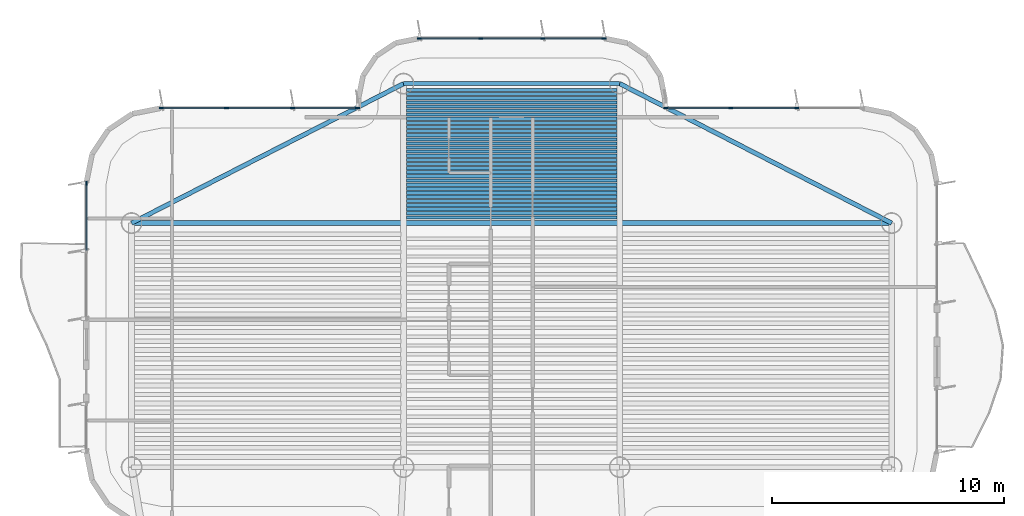
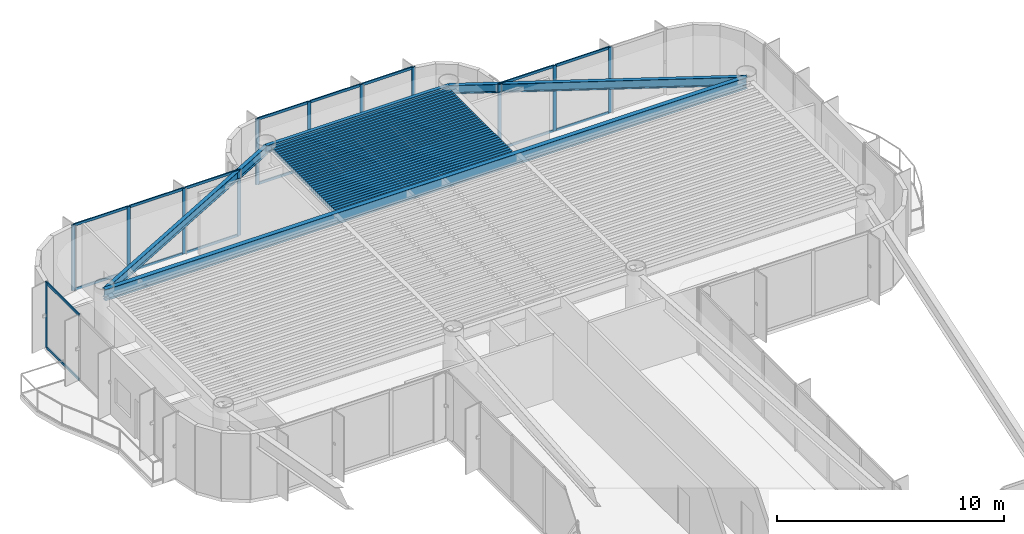
# One storey, part 7 of 15: 36 beams, 30 members, 4 elements without a shape of their own.
"""IFC4 building model written with IfcOpenShell, lengths in metres."""

from ifc_helpers import new_model, si_unit, direction, frame, origin, origin_2d, place, context, subcontext, project, spatial, rectangle, i_section, extrude, source, transform, mapped, material, layer, layer_set, material_profile, profile_set, type_object, element, aggregate, save


model = new_model("IFC4")

# Units and contexts
model_context = context("Model", 3, precision=1e-05, world=origin(), true_north=direction((0.0, 1.0)))
body_context = subcontext(model_context, "Body", "Model", "MODEL_VIEW")
ifc_project = project(units=[si_unit("LENGTHUNIT", "METRE"), si_unit("AREAUNIT", "SQUARE_METRE"), si_unit("VOLUMEUNIT", "CUBIC_METRE"), si_unit("PLANEANGLEUNIT", "RADIAN"), si_unit("MASSUNIT", "GRAM", prefix="KILO")], contexts=[model_context])

# Site, building, storey
site_placement = place(None, origin())
site = spatial("IfcSite", under=ifc_project, at=site_placement, CompositionType="ELEMENT")
building_placement = place(site_placement, origin())
building = spatial("IfcBuilding", under=site, at=building_placement, Name="Brelvock Crest Care Tower", CompositionType="ELEMENT")
storey_placement = place(building_placement, frame((0.0, 0.0, 279.719970703125)))
storey = spatial("IfcBuildingStorey", under=building, at=storey_placement, Name="L71", CompositionType="ELEMENT", Elevation=279.719970703125)

# Beams
ifc_material_1 = material(Name="Steel Grade 350", Category="steel")
ifc_material_profile_1 = material_profile(ifc_material_1, i_section(OverallWidth=0.177978515625, OverallDepth=0.406005859375, WebThickness=0.0078125, FlangeThickness=0.0126953125, FilletRadius=0.011474609375, at=origin_2d()), Name="410UB59.7")
ifc_profile_set_1 = profile_set([ifc_material_profile_1], Name="Steel Grade 350")
beam_type_1 = type_object("IfcBeamType", Name="BM-SP1", PredefinedType="SPANDREL", material=ifc_profile_set_1)
shared_shape_1 = source(origin(), body_context, "Body", "SweptSolid", [
    extrude(i_section(OverallWidth=0.177978515625, OverallDepth=0.406005859375, WebThickness=0.0078125, FlangeThickness=0.0126953125, FilletRadius=0.011474609375, at=origin_2d()), origin(), (0.0, 0.0, 1.0), 9.2998046875),
])
beam_1_placement = place(storey_placement, frame((31.35009765625, 60.449951171875, 3.3271484375), z_axis=(1.0, 0.0, 0.0), x_axis=(0.0, 1.0, 0.0)))
element("IfcBeam", 1, at=beam_1_placement, inside=storey, type_object=beam_type_1, Name="BM-TWR-L71-08", PredefinedType="SPANDREL", context=body_context, shape_type="MappedRepresentation", body=[
    mapped(shared_shape_1, transform((0.0, 0.0, 0.0), x_axis=(1.0, 0.0, 0.0), y_axis=(0.0, 1.0, 0.0), z_axis=(0.0, 0.0, 1.0), scale=1.0)),
])
ifc_material_profile_2 = material_profile(ifc_material_1, i_section(OverallWidth=0.14599609375, OverallDepth=0.256103515625, WebThickness=0.00634765625, FlangeThickness=0.010986328125, FilletRadius=0.0087890625, at=origin_2d()), Name="250UB37.3")
ifc_profile_set_2 = profile_set([ifc_material_profile_2], Name="Steel Grade 350")
beam_type_2 = type_object("IfcBeamType", Name="BM-J3", PredefinedType="JOIST", material=ifc_profile_set_2)
shared_shape_2 = source(origin(), body_context, "Body", "SweptSolid", [
    extrude(i_section(OverallWidth=0.14599609375, OverallDepth=0.256103515625, WebThickness=0.00634765625, FlangeThickness=0.010986328125, FilletRadius=0.0087890625, at=origin_2d()), origin(), (0.0, 0.0, 1.0), 9.06982421875),
])
for number, where, z_axis, x_axis, name in (
    (2, (31.465087890625, 54.68994140625, 3.402099609375), (1.0, 0.0, 0.0), (0.0, 1.0, 0.0), "BM-JN-L71-1"),
    (3, (31.465087890625, 54.866943359375, 3.402099609375), (1.0, 0.0, 0.0), (0.0, 1.0, 0.0), "BM-JN-L71-2"),
    (4, (31.465087890625, 55.0439453125, 3.402099609375), (1.0, 0.0, 0.0), (0.0, 1.0, 0.0), "BM-JN-L71-3"),
    (5, (31.465087890625, 55.220947265625, 3.402099609375), (1.0, 0.0, 0.0), (0.0, 1.0, 0.0), "BM-JN-L71-4"),
    (6, (31.465087890625, 55.39794921875, 3.402099609375), (1.0, 0.0, 0.0), (0.0, 1.0, 0.0), "BM-JN-L71-5"),
    (7, (31.465087890625, 55.574951171875, 3.402099609375), (1.0, 0.0, 0.0), (0.0, 1.0, 0.0), "BM-JN-L71-6"),
    (8, (31.465087890625, 55.751953125, 3.402099609375), (1.0, 0.0, 0.0), (0.0, 1.0, 0.0), "BM-JN-L71-7"),
    (9, (31.465087890625, 55.928955078125, 3.402099609375), (1.0, 0.0, 0.0), (0.0, 1.0, 0.0), "BM-JN-L71-8"),
    (10, (31.465087890625, 56.10595703125, 3.402099609375), (1.0, 0.0, 0.0), (0.0, 1.0, 0.0), "BM-JN-L71-9"),
    (11, (31.465087890625, 56.282958984375, 3.402099609375), (1.0, 0.0, 0.0), (0.0, 1.0, 0.0), "BM-JN-L71-10"),
    (12, (31.465087890625, 56.4599609375, 3.402099609375), (1.0, 0.0, 0.0), (0.0, 1.0, 0.0), "BM-JN-L71-11"),
    (13, (31.465087890625, 56.636962890625, 3.402099609375), (1.0, 0.0, 0.0), (0.0, 1.0, 0.0), "BM-JN-L71-12"),
    (14, (31.465087890625, 56.81396484375, 3.402099609375), (1.0, 0.0, 0.0), (0.0, 1.0, 0.0), "BM-JN-L71-13"),
):
    element("IfcBeam", number, at=place(storey_placement, frame(where, z_axis=z_axis, x_axis=x_axis)), inside=storey, type_object=beam_type_2, Name=name, PredefinedType="JOIST", context=body_context, shape_type="MappedRepresentation", body=[
        mapped(shared_shape_2, transform((0.0, 0.0, 0.0), x_axis=(1.0, 0.0, 0.0), y_axis=(0.0, 1.0, 0.0), z_axis=(0.0, 0.0, 1.0), scale=1.0)),
    ])
ifc_material_profile_3 = material_profile(ifc_material_1, i_section(OverallWidth=0.134033203125, OverallDepth=0.20703125, WebThickness=0.00634765625, FlangeThickness=0.009521484375, FilletRadius=0.0087890625, at=origin_2d()), Name="200UB29.8")
ifc_profile_set_3 = profile_set([ifc_material_profile_3], Name="Steel Grade 350")
beam_type_3 = type_object("IfcBeamType", Name="BM-J4", PredefinedType="JOIST", material=ifc_profile_set_3)
shared_shape_3 = source(origin(), body_context, "Body", "SweptSolid", [
    extrude(i_section(OverallWidth=0.134033203125, OverallDepth=0.20703125, WebThickness=0.00634765625, FlangeThickness=0.009521484375, FilletRadius=0.0087890625, at=origin_2d()), origin(), (0.0, 0.0, 1.0), 9.06982421875),
])
for number, where, z_axis, x_axis, name in (
    (15, (31.465087890625, 56.990966796875, 3.426513671875), (1.0, 0.0, 0.0), (0.0, 1.0, 0.0), "BM-JN-L71-14"),
    (16, (31.465087890625, 57.16796875, 3.426513671875), (1.0, 0.0, 0.0), (0.0, 1.0, 0.0), "BM-JN-L71-15"),
    (17, (31.465087890625, 57.344970703125, 3.426513671875), (1.0, 0.0, 0.0), (0.0, 1.0, 0.0), "BM-JN-L71-16"),
    (18, (31.465087890625, 57.52197265625, 3.426513671875), (1.0, 0.0, 0.0), (0.0, 1.0, 0.0), "BM-JN-L71-17"),
    (19, (31.465087890625, 57.698974609375, 3.426513671875), (1.0, 0.0, 0.0), (0.0, 1.0, 0.0), "BM-JN-L71-18"),
    (20, (31.465087890625, 57.8759765625, 3.426513671875), (1.0, 0.0, 0.0), (0.0, 1.0, 0.0), "BM-JN-L71-19"),
    (21, (31.465087890625, 58.052978515625, 3.426513671875), (1.0, 0.0, 0.0), (0.0, 1.0, 0.0), "BM-JN-L71-20"),
    (22, (31.465087890625, 58.22998046875, 3.426513671875), (1.0, 0.0, 0.0), (0.0, 1.0, 0.0), "BM-JN-L71-21"),
    (23, (31.465087890625, 58.406982421875, 3.426513671875), (1.0, 0.0, 0.0), (0.0, 1.0, 0.0), "BM-JN-L71-22"),
    (24, (31.465087890625, 58.583984375, 3.426513671875), (1.0, 0.0, 0.0), (0.0, 1.0, 0.0), "BM-JN-L71-23"),
    (25, (31.465087890625, 58.760986328125, 3.426513671875), (1.0, 0.0, 0.0), (0.0, 1.0, 0.0), "BM-JN-L71-24"),
    (26, (31.465087890625, 58.93798828125, 3.426513671875), (1.0, 0.0, 0.0), (0.0, 1.0, 0.0), "BM-JN-L71-25"),
    (27, (31.465087890625, 59.114990234375, 3.426513671875), (1.0, 0.0, 0.0), (0.0, 1.0, 0.0), "BM-JN-L71-26"),
    (28, (31.465087890625, 59.2919921875, 3.426513671875), (1.0, 0.0, 0.0), (0.0, 1.0, 0.0), "BM-JN-L71-27"),
    (29, (31.465087890625, 59.468994140625, 3.426513671875), (1.0, 0.0, 0.0), (0.0, 1.0, 0.0), "BM-JN-L71-28"),
    (30, (31.465087890625, 59.64599609375, 3.426513671875), (1.0, 0.0, 0.0), (0.0, 1.0, 0.0), "BM-JN-L71-29"),
    (31, (31.465087890625, 59.822998046875, 3.426513671875), (1.0, 0.0, 0.0), (0.0, 1.0, 0.0), "BM-JN-L71-30"),
    (32, (31.465087890625, 60.0, 3.426513671875), (1.0, 0.0, 0.0), (0.0, 1.0, 0.0), "BM-JN-L71-31"),
    (33, (31.465087890625, 60.177001953125, 3.426513671875), (1.0, 0.0, 0.0), (0.0, 1.0, 0.0), "BM-JN-L71-32"),
):
    element("IfcBeam", number, at=place(storey_placement, frame(where, z_axis=z_axis, x_axis=x_axis)), inside=storey, type_object=beam_type_3, Name=name, PredefinedType="JOIST", context=body_context, shape_type="MappedRepresentation", body=[
        mapped(shared_shape_3, transform((0.0, 0.0, 0.0), x_axis=(1.0, 0.0, 0.0), y_axis=(0.0, 1.0, 0.0), z_axis=(0.0, 0.0, 1.0), scale=1.0)),
    ])
ifc_material_profile_4 = material_profile(ifc_material_1, i_section(OverallWidth=0.19091796875, OverallDepth=0.4599609375, WebThickness=0.010009765625, FlangeThickness=0.01611328125, FilletRadius=0.011474609375, at=origin_2d()), Name="460UB82.1")
ifc_profile_set_4 = profile_set([ifc_material_profile_4], Name="Steel Grade 350")
beam_type_4 = type_object("IfcBeamType", Name="BM-SP2", PredefinedType="SPANDREL", material=ifc_profile_set_4)
shared_shape_4 = source(origin(), body_context, "Body", "SweptSolid", [
    extrude(i_section(OverallWidth=0.19091796875, OverallDepth=0.4599609375, WebThickness=0.010009765625, FlangeThickness=0.01611328125, FilletRadius=0.011474609375, at=origin_2d()), origin(), (0.0, 0.0, 1.0), 13.14892578125),
])
for number, where, z_axis, x_axis, name in (
    (34, (19.64990234375, 54.449951171875, 3.300048828125), (0.889820555736, 0.456310616346, 0.0), (-0.456310616346, 0.889820555736, 0.0), "BM-TWR-L71-06"),
    (35, (40.64990234375, 60.449951171875, 3.300048828125), (0.889820555736, -0.456310616346, 0.0), (0.456310616346, 0.889820555736, 0.0), "BM-TWR-L71-07"),
):
    element("IfcBeam", number, at=place(storey_placement, frame(where, z_axis=z_axis, x_axis=x_axis)), inside=storey, type_object=beam_type_4, Name=name, PredefinedType="SPANDREL", context=body_context, shape_type="MappedRepresentation", body=[
        mapped(shared_shape_4, transform((0.0, 0.0, 0.0), x_axis=(1.0, 0.0, 0.0), y_axis=(0.0, 1.0, 0.0), z_axis=(0.0, 0.0, 1.0), scale=1.0)),
    ])
ifc_material_profile_5 = material_profile(ifc_material_1, i_section(OverallWidth=0.22900390625, OverallDepth=0.612060546875, WebThickness=0.011962890625, FlangeThickness=0.01953125, FilletRadius=0.013916015625, at=origin_2d()), Name="610UB125")
ifc_profile_set_5 = profile_set([ifc_material_profile_5], Name="Steel Grade 350")
beam_type_5 = type_object("IfcBeamType", Name="BM-G1", PredefinedType="BEAM", material=ifc_profile_set_5)
shared_shape_5 = source(origin(), body_context, "Body", "SweptSolid", [
    extrude(i_section(OverallWidth=0.22900390625, OverallDepth=0.612060546875, WebThickness=0.011962890625, FlangeThickness=0.01953125, FilletRadius=0.013916015625, at=origin_2d()), origin(), (0.0, 0.0, 1.0), 32.7001953125),
])
beam_2_placement = place(storey_placement, frame((19.64990234375, 54.449951171875, 3.22412109375), z_axis=(1.0, 0.0, 0.0), x_axis=(0.0, 1.0, 0.0)))
element("IfcBeam", 36, at=beam_2_placement, inside=storey, type_object=beam_type_5, Name="BM-TWR-L71-11", PredefinedType="BEAM", context=body_context, shape_type="MappedRepresentation", body=[
    mapped(shared_shape_5, transform((0.0, 0.0, 0.0), x_axis=(1.0, 0.0, 0.0), y_axis=(0.0, 1.0, 0.0), z_axis=(0.0, 0.0, 1.0), scale=1.0)),
])

# Curtain wall, member
ifc_material_2 = material(Name="Dark Glass Double Glazed Low-E", Category="glass")
ifc_layer = layer(ifc_material_2, 0.239990234375, Name="CWS-5")
ifc_layer_set = layer_set([ifc_layer], Name="Dark Glass Double Glazed Low-E")
curtain_wall_type = type_object("IfcCurtainWallType", Name="CWS-5", PredefinedType="NOTDEFINED", material=ifc_layer_set)
curtain_wall_1_placement = place(storey_placement, origin())
curtain_wall_1 = element("IfcCurtainWall", 37, at=curtain_wall_1_placement, inside=storey, type_object=curtain_wall_type, Name="L71 Curtain Wall E17B", PredefinedType="NOTDEFINED")
ifc_material_3 = material(Name="Aluminium 6063-T6", Category="aluminium")
ifc_material_profile_6 = material_profile(ifc_material_3, rectangle(XDim=0.06005859375, YDim=0.179931640625, at=origin_2d()), Name="ALU60x180")
ifc_profile_set_6 = profile_set([ifc_material_profile_6], Name="Aluminium 6063-T6")
member_type_1 = type_object("IfcMemberType", Name="CWM-2", PredefinedType="MULLION", material=ifc_profile_set_6)
shared_shape_6 = source(origin(), body_context, "Body", "SweptSolid", [
    extrude(rectangle(XDim=0.06005859375, YDim=0.179931640625, at=origin_2d()), origin(), (0.0, 0.0, 1.0), 3.530029296875),
])
member_1_placement = place(storey_placement, frame((17.699951171875, 56.169921875, 0.0), z_axis=(0.0, 0.0, 1.0), x_axis=(-1.0, 0.0, 0.0)))
member_1 = element("IfcMember", 38, at=member_1_placement, type_object=member_type_1, Name="CW-5 mullion 3", PredefinedType="MULLION", context=body_context, shape_type="MappedRepresentation", body=[
    mapped(shared_shape_6, transform((0.0, 0.0, 0.0), x_axis=(1.0, 0.0, 0.0), y_axis=(0.0, 1.0, 0.0), z_axis=(0.0, 0.0, 1.0), scale=1.0)),
])

# Curtain wall, members
curtain_wall_2_placement = place(storey_placement, origin())
curtain_wall_2 = element("IfcCurtainWall", 39, at=curtain_wall_2_placement, inside=storey, type_object=curtain_wall_type, Name="L71 Curtain Wall E22", PredefinedType="NOTDEFINED")
member_2_placement = place(storey_placement, frame((20.929931640625, 59.39990234375, 0.0), z_axis=(0.0, 0.0, 1.0), x_axis=(0.0, 1.0, 0.0)))
member_2 = element("IfcMember", 40, at=member_2_placement, type_object=member_type_1, Name="CW-5 mullion 1", PredefinedType="MULLION", context=body_context, shape_type="MappedRepresentation", body=[
    mapped(shared_shape_6, transform((0.0, 0.0, 0.0), x_axis=(1.0, 0.0, 0.0), y_axis=(0.0, 1.0, 0.0), z_axis=(0.0, 0.0, 1.0), scale=1.0)),
])
member_3_placement = place(storey_placement, frame((23.7333984375, 59.39990234375, 0.0), z_axis=(0.0, 0.0, 1.0), x_axis=(0.0, 1.0, 0.0)))
member_3 = element("IfcMember", 41, at=member_3_placement, type_object=member_type_1, Name="CW-5 mullion 2", PredefinedType="MULLION", context=body_context, shape_type="MappedRepresentation", body=[
    mapped(shared_shape_6, transform((0.0, 0.0, 0.0), x_axis=(1.0, 0.0, 0.0), y_axis=(0.0, 1.0, 0.0), z_axis=(0.0, 0.0, 1.0), scale=1.0)),
])
member_4_placement = place(storey_placement, frame((26.566650390625, 59.39990234375, 0.0), z_axis=(0.0, 0.0, 1.0), x_axis=(0.0, 1.0, 0.0)))
member_4 = element("IfcMember", 42, at=member_4_placement, type_object=member_type_1, Name="CW-5 mullion 3", PredefinedType="MULLION", context=body_context, shape_type="MappedRepresentation", body=[
    mapped(shared_shape_6, transform((0.0, 0.0, 0.0), x_axis=(1.0, 0.0, 0.0), y_axis=(0.0, 1.0, 0.0), z_axis=(0.0, 0.0, 1.0), scale=1.0)),
])
member_5_placement = place(storey_placement, frame((29.3701171875, 59.39990234375, 0.0), z_axis=(0.0, 0.0, 1.0), x_axis=(0.0, 1.0, 0.0)))
member_5 = element("IfcMember", 43, at=member_5_placement, type_object=member_type_1, Name="CW-5 mullion 4", PredefinedType="MULLION", context=body_context, shape_type="MappedRepresentation", body=[
    mapped(shared_shape_6, transform((0.0, 0.0, 0.0), x_axis=(1.0, 0.0, 0.0), y_axis=(0.0, 1.0, 0.0), z_axis=(0.0, 0.0, 1.0), scale=1.0)),
])

curtain_wall_3_placement = place(storey_placement, origin())
curtain_wall_3 = element("IfcCurtainWall", 44, at=curtain_wall_3_placement, inside=storey, type_object=curtain_wall_type, Name="L71 Curtain Wall E28", PredefinedType="NOTDEFINED")
member_6_placement = place(storey_placement, frame((32.030029296875, 62.39990234375, 0.0), z_axis=(0.0, 0.0, 1.0), x_axis=(0.0, 1.0, 0.0)))
member_6 = element("IfcMember", 45, at=member_6_placement, type_object=member_type_1, Name="CW-5 mullion 1", PredefinedType="MULLION", context=body_context, shape_type="MappedRepresentation", body=[
    mapped(shared_shape_6, transform((0.0, 0.0, 0.0), x_axis=(1.0, 0.0, 0.0), y_axis=(0.0, 1.0, 0.0), z_axis=(0.0, 0.0, 1.0), scale=1.0)),
])
member_7_placement = place(storey_placement, frame((34.666748046875, 62.39990234375, 0.0), z_axis=(0.0, 0.0, 1.0), x_axis=(0.0, 1.0, 0.0)))
member_7 = element("IfcMember", 46, at=member_7_placement, type_object=member_type_1, Name="CW-5 mullion 2", PredefinedType="MULLION", context=body_context, shape_type="MappedRepresentation", body=[
    mapped(shared_shape_6, transform((0.0, 0.0, 0.0), x_axis=(1.0, 0.0, 0.0), y_axis=(0.0, 1.0, 0.0), z_axis=(0.0, 0.0, 1.0), scale=1.0)),
])
member_8_placement = place(storey_placement, frame((37.333251953125, 62.39990234375, 0.0), z_axis=(0.0, 0.0, 1.0), x_axis=(0.0, 1.0, 0.0)))
member_8 = element("IfcMember", 47, at=member_8_placement, type_object=member_type_1, Name="CW-5 mullion 3", PredefinedType="MULLION", context=body_context, shape_type="MappedRepresentation", body=[
    mapped(shared_shape_6, transform((0.0, 0.0, 0.0), x_axis=(1.0, 0.0, 0.0), y_axis=(0.0, 1.0, 0.0), z_axis=(0.0, 0.0, 1.0), scale=1.0)),
])
member_9_placement = place(storey_placement, frame((39.969970703125, 62.39990234375, 0.0), z_axis=(0.0, 0.0, 1.0), x_axis=(0.0, 1.0, 0.0)))
member_9 = element("IfcMember", 48, at=member_9_placement, type_object=member_type_1, Name="CW-5 mullion 4", PredefinedType="MULLION", context=body_context, shape_type="MappedRepresentation", body=[
    mapped(shared_shape_6, transform((0.0, 0.0, 0.0), x_axis=(1.0, 0.0, 0.0), y_axis=(0.0, 1.0, 0.0), z_axis=(0.0, 0.0, 1.0), scale=1.0)),
])

curtain_wall_4_placement = place(storey_placement, origin())
curtain_wall_4 = element("IfcCurtainWall", 49, at=curtain_wall_4_placement, inside=storey, type_object=curtain_wall_type, Name="L71 Curtain Wall E34", PredefinedType="NOTDEFINED")
member_10_placement = place(storey_placement, frame((42.6298828125, 59.39990234375, 0.0), z_axis=(0.0, 0.0, 1.0), x_axis=(0.0, 1.0, 0.0)))
member_10 = element("IfcMember", 50, at=member_10_placement, type_object=member_type_1, Name="CW-5 mullion 1", PredefinedType="MULLION", context=body_context, shape_type="MappedRepresentation", body=[
    mapped(shared_shape_6, transform((0.0, 0.0, 0.0), x_axis=(1.0, 0.0, 0.0), y_axis=(0.0, 1.0, 0.0), z_axis=(0.0, 0.0, 1.0), scale=1.0)),
])
member_11_placement = place(storey_placement, frame((45.433349609375, 59.39990234375, 0.0), z_axis=(0.0, 0.0, 1.0), x_axis=(0.0, 1.0, 0.0)))
member_11 = element("IfcMember", 51, at=member_11_placement, type_object=member_type_1, Name="CW-5 mullion 2", PredefinedType="MULLION", context=body_context, shape_type="MappedRepresentation", body=[
    mapped(shared_shape_6, transform((0.0, 0.0, 0.0), x_axis=(1.0, 0.0, 0.0), y_axis=(0.0, 1.0, 0.0), z_axis=(0.0, 0.0, 1.0), scale=1.0)),
])
member_12_placement = place(storey_placement, frame((48.2666015625, 59.39990234375, 0.0), z_axis=(0.0, 0.0, 1.0), x_axis=(0.0, 1.0, 0.0)))
member_12 = element("IfcMember", 52, at=member_12_placement, type_object=member_type_1, Name="CW-5 mullion 3", PredefinedType="MULLION", context=body_context, shape_type="MappedRepresentation", body=[
    mapped(shared_shape_6, transform((0.0, 0.0, 0.0), x_axis=(1.0, 0.0, 0.0), y_axis=(0.0, 1.0, 0.0), z_axis=(0.0, 0.0, 1.0), scale=1.0)),
])

# Member
ifc_material_profile_7 = material_profile(ifc_material_3, rectangle(XDim=0.06005859375, YDim=0.139892578125, at=origin_2d()), Name="ALU60x140")
ifc_profile_set_7 = profile_set([ifc_material_profile_7], Name="Aluminium 6063-T6")
member_type_2 = type_object("IfcMemberType", Name="CWT-2", PredefinedType="USERDEFINED", material=ifc_profile_set_7)
shared_shape_7 = source(origin(), body_context, "Body", "SweptSolid", [
    extrude(rectangle(XDim=0.06005859375, YDim=0.139892578125, at=origin_2d()), origin(), (0.0, 0.0, 1.0), 2.57666015625),
])
member_13_placement = place(storey_placement, frame((32.06005859375, 62.39990234375, 0.030029296875), z_axis=(1.0, 0.0, 0.0), x_axis=(0.0, 1.0, 0.0)))
member_13 = element("IfcMember", 53, at=member_13_placement, type_object=member_type_2, Name="CW-5 transom 1.1", ObjectType="TRANSOM", PredefinedType="USERDEFINED", context=body_context, shape_type="MappedRepresentation", body=[
    mapped(shared_shape_7, transform((0.0, 0.0, 0.0), x_axis=(1.0, 0.0, 0.0), y_axis=(0.0, 1.0, 0.0), z_axis=(0.0, 0.0, 1.0), scale=1.0)),
])

member_14_placement = place(storey_placement, frame((32.06005859375, 62.39990234375, 3.5), z_axis=(1.0, 0.0, 0.0), x_axis=(0.0, 1.0, 0.0)))
member_14 = element("IfcMember", 54, at=member_14_placement, type_object=member_type_2, Name="CW-5 transom 1.2", ObjectType="TRANSOM", PredefinedType="USERDEFINED", context=body_context, shape_type="MappedRepresentation", body=[
    mapped(shared_shape_7, transform((0.0, 0.0, 0.0), x_axis=(1.0, 0.0, 0.0), y_axis=(0.0, 1.0, 0.0), z_axis=(0.0, 0.0, 1.0), scale=1.0)),
])

member_15_placement = place(storey_placement, frame((37.36328125, 62.39990234375, 0.030029296875), z_axis=(1.0, 0.0, 0.0), x_axis=(0.0, 1.0, 0.0)))
member_15 = element("IfcMember", 55, at=member_15_placement, type_object=member_type_2, Name="CW-5 transom 3.1", ObjectType="TRANSOM", PredefinedType="USERDEFINED", context=body_context, shape_type="MappedRepresentation", body=[
    mapped(shared_shape_7, transform((0.0, 0.0, 0.0), x_axis=(1.0, 0.0, 0.0), y_axis=(0.0, 1.0, 0.0), z_axis=(0.0, 0.0, 1.0), scale=1.0)),
])

member_16_placement = place(storey_placement, frame((37.36328125, 62.39990234375, 3.5), z_axis=(1.0, 0.0, 0.0), x_axis=(0.0, 1.0, 0.0)))
member_16 = element("IfcMember", 56, at=member_16_placement, type_object=member_type_2, Name="CW-5 transom 3.2", ObjectType="TRANSOM", PredefinedType="USERDEFINED", context=body_context, shape_type="MappedRepresentation", body=[
    mapped(shared_shape_7, transform((0.0, 0.0, 0.0), x_axis=(1.0, 0.0, 0.0), y_axis=(0.0, 1.0, 0.0), z_axis=(0.0, 0.0, 1.0), scale=1.0)),
])

shared_shape_8 = source(origin(), body_context, "Body", "SweptSolid", [
    extrude(rectangle(XDim=0.06005859375, YDim=0.139892578125, at=origin_2d()), origin(), (0.0, 0.0, 1.0), 2.743408203125),
])
member_17_placement = place(storey_placement, frame((20.9599609375, 59.39990234375, 0.030029296875), z_axis=(1.0, 0.0, 0.0), x_axis=(0.0, 1.0, 0.0)))
member_17 = element("IfcMember", 57, at=member_17_placement, type_object=member_type_2, Name="CW-5 transom 1.1", ObjectType="TRANSOM", PredefinedType="USERDEFINED", context=body_context, shape_type="MappedRepresentation", body=[
    mapped(shared_shape_8, transform((0.0, 0.0, 0.0), x_axis=(1.0, 0.0, 0.0), y_axis=(0.0, 1.0, 0.0), z_axis=(0.0, 0.0, 1.0), scale=1.0)),
])

member_18_placement = place(storey_placement, frame((20.9599609375, 59.39990234375, 3.5), z_axis=(1.0, 0.0, 0.0), x_axis=(0.0, 1.0, 0.0)))
member_18 = element("IfcMember", 58, at=member_18_placement, type_object=member_type_2, Name="CW-5 transom 1.2", ObjectType="TRANSOM", PredefinedType="USERDEFINED", context=body_context, shape_type="MappedRepresentation", body=[
    mapped(shared_shape_8, transform((0.0, 0.0, 0.0), x_axis=(1.0, 0.0, 0.0), y_axis=(0.0, 1.0, 0.0), z_axis=(0.0, 0.0, 1.0), scale=1.0)),
])

member_19_placement = place(storey_placement, frame((26.5966796875, 59.39990234375, 0.030029296875), z_axis=(1.0, 0.0, 0.0), x_axis=(0.0, 1.0, 0.0)))
member_19 = element("IfcMember", 59, at=member_19_placement, type_object=member_type_2, Name="CW-5 transom 3.1", ObjectType="TRANSOM", PredefinedType="USERDEFINED", context=body_context, shape_type="MappedRepresentation", body=[
    mapped(shared_shape_8, transform((0.0, 0.0, 0.0), x_axis=(1.0, 0.0, 0.0), y_axis=(0.0, 1.0, 0.0), z_axis=(0.0, 0.0, 1.0), scale=1.0)),
])

member_20_placement = place(storey_placement, frame((26.5966796875, 59.39990234375, 3.5), z_axis=(1.0, 0.0, 0.0), x_axis=(0.0, 1.0, 0.0)))
member_20 = element("IfcMember", 60, at=member_20_placement, type_object=member_type_2, Name="CW-5 transom 3.2", ObjectType="TRANSOM", PredefinedType="USERDEFINED", context=body_context, shape_type="MappedRepresentation", body=[
    mapped(shared_shape_8, transform((0.0, 0.0, 0.0), x_axis=(1.0, 0.0, 0.0), y_axis=(0.0, 1.0, 0.0), z_axis=(0.0, 0.0, 1.0), scale=1.0)),
])

member_21_placement = place(storey_placement, frame((42.659912109375, 59.39990234375, 0.030029296875), z_axis=(1.0, 0.0, 0.0), x_axis=(0.0, 1.0, 0.0)))
member_21 = element("IfcMember", 61, at=member_21_placement, type_object=member_type_2, Name="CW-5 transom 1.1", ObjectType="TRANSOM", PredefinedType="USERDEFINED", context=body_context, shape_type="MappedRepresentation", body=[
    mapped(shared_shape_8, transform((0.0, 0.0, 0.0), x_axis=(1.0, 0.0, 0.0), y_axis=(0.0, 1.0, 0.0), z_axis=(0.0, 0.0, 1.0), scale=1.0)),
])

member_22_placement = place(storey_placement, frame((42.659912109375, 59.39990234375, 3.5), z_axis=(1.0, 0.0, 0.0), x_axis=(0.0, 1.0, 0.0)))
member_22 = element("IfcMember", 62, at=member_22_placement, type_object=member_type_2, Name="CW-5 transom 1.2", ObjectType="TRANSOM", PredefinedType="USERDEFINED", context=body_context, shape_type="MappedRepresentation", body=[
    mapped(shared_shape_8, transform((0.0, 0.0, 0.0), x_axis=(1.0, 0.0, 0.0), y_axis=(0.0, 1.0, 0.0), z_axis=(0.0, 0.0, 1.0), scale=1.0)),
])

shared_shape_9 = source(origin(), body_context, "Body", "SweptSolid", [
    extrude(rectangle(XDim=0.06005859375, YDim=0.139892578125, at=origin_2d()), origin(), (0.0, 0.0, 1.0), 2.773193359375),
])
member_23_placement = place(storey_placement, frame((23.763427734375, 59.39990234375, 0.030029296875), z_axis=(1.0, 0.0, 0.0), x_axis=(0.0, 1.0, 0.0)))
member_23 = element("IfcMember", 63, at=member_23_placement, type_object=member_type_2, Name="CW-5 transom 2.1", ObjectType="TRANSOM", PredefinedType="USERDEFINED", context=body_context, shape_type="MappedRepresentation", body=[
    mapped(shared_shape_9, transform((0.0, 0.0, 0.0), x_axis=(1.0, 0.0, 0.0), y_axis=(0.0, 1.0, 0.0), z_axis=(0.0, 0.0, 1.0), scale=1.0)),
])

member_24_placement = place(storey_placement, frame((23.763427734375, 59.39990234375, 3.5), z_axis=(1.0, 0.0, 0.0), x_axis=(0.0, 1.0, 0.0)))
member_24 = element("IfcMember", 64, at=member_24_placement, type_object=member_type_2, Name="CW-5 transom 2.2", ObjectType="TRANSOM", PredefinedType="USERDEFINED", context=body_context, shape_type="MappedRepresentation", body=[
    mapped(shared_shape_9, transform((0.0, 0.0, 0.0), x_axis=(1.0, 0.0, 0.0), y_axis=(0.0, 1.0, 0.0), z_axis=(0.0, 0.0, 1.0), scale=1.0)),
])

aggregate(curtain_wall_2, [member_2, member_3, member_4, member_5, member_17, member_18, member_23, member_24, member_19, member_20])

member_25_placement = place(storey_placement, frame((45.46337890625, 59.39990234375, 0.030029296875), z_axis=(1.0, 0.0, 0.0), x_axis=(0.0, 1.0, 0.0)))
member_25 = element("IfcMember", 65, at=member_25_placement, type_object=member_type_2, Name="CW-5 transom 2.1", ObjectType="TRANSOM", PredefinedType="USERDEFINED", context=body_context, shape_type="MappedRepresentation", body=[
    mapped(shared_shape_9, transform((0.0, 0.0, 0.0), x_axis=(1.0, 0.0, 0.0), y_axis=(0.0, 1.0, 0.0), z_axis=(0.0, 0.0, 1.0), scale=1.0)),
])

member_26_placement = place(storey_placement, frame((45.46337890625, 59.39990234375, 3.5), z_axis=(1.0, 0.0, 0.0), x_axis=(0.0, 1.0, 0.0)))
member_26 = element("IfcMember", 66, at=member_26_placement, type_object=member_type_2, Name="CW-5 transom 2.2", ObjectType="TRANSOM", PredefinedType="USERDEFINED", context=body_context, shape_type="MappedRepresentation", body=[
    mapped(shared_shape_9, transform((0.0, 0.0, 0.0), x_axis=(1.0, 0.0, 0.0), y_axis=(0.0, 1.0, 0.0), z_axis=(0.0, 0.0, 1.0), scale=1.0)),
])

aggregate(curtain_wall_4, [member_10, member_11, member_12, member_21, member_22, member_25, member_26])

shared_shape_10 = source(origin(), body_context, "Body", "SweptSolid", [
    extrude(rectangle(XDim=0.06005859375, YDim=0.139892578125, at=origin_2d()), origin(), (0.0, 0.0, 1.0), 2.6064453125),
])
member_27_placement = place(storey_placement, frame((34.69677734375, 62.39990234375, 0.030029296875), z_axis=(1.0, 0.0, 0.0), x_axis=(0.0, 1.0, 0.0)))
member_27 = element("IfcMember", 67, at=member_27_placement, type_object=member_type_2, Name="CW-5 transom 2.1", ObjectType="TRANSOM", PredefinedType="USERDEFINED", context=body_context, shape_type="MappedRepresentation", body=[
    mapped(shared_shape_10, transform((0.0, 0.0, 0.0), x_axis=(1.0, 0.0, 0.0), y_axis=(0.0, 1.0, 0.0), z_axis=(0.0, 0.0, 1.0), scale=1.0)),
])

member_28_placement = place(storey_placement, frame((34.69677734375, 62.39990234375, 3.5), z_axis=(1.0, 0.0, 0.0), x_axis=(0.0, 1.0, 0.0)))
member_28 = element("IfcMember", 68, at=member_28_placement, type_object=member_type_2, Name="CW-5 transom 2.2", ObjectType="TRANSOM", PredefinedType="USERDEFINED", context=body_context, shape_type="MappedRepresentation", body=[
    mapped(shared_shape_10, transform((0.0, 0.0, 0.0), x_axis=(1.0, 0.0, 0.0), y_axis=(0.0, 1.0, 0.0), z_axis=(0.0, 0.0, 1.0), scale=1.0)),
])

aggregate(curtain_wall_3, [member_6, member_7, member_8, member_9, member_13, member_14, member_27, member_28, member_15, member_16])

shared_shape_11 = source(origin(), body_context, "Body", "SweptSolid", [
    extrude(rectangle(XDim=0.06005859375, YDim=0.139892578125, at=origin_2d()), origin(), (0.0, 0.0, 1.0), 2.85986328125),
])
member_29_placement = place(storey_placement, frame((17.699951171875, 53.280029296875, 0.030029296875), z_axis=(0.0, 1.0, 0.0), x_axis=(-1.0, 0.0, 0.0)))
member_29 = element("IfcMember", 69, at=member_29_placement, type_object=member_type_2, Name="CW-5 transom 2.1", ObjectType="TRANSOM", PredefinedType="USERDEFINED", context=body_context, shape_type="MappedRepresentation", body=[
    mapped(shared_shape_11, transform((0.0, 0.0, 0.0), x_axis=(1.0, 0.0, 0.0), y_axis=(0.0, 1.0, 0.0), z_axis=(0.0, 0.0, 1.0), scale=1.0)),
])

member_30_placement = place(storey_placement, frame((17.699951171875, 53.280029296875, 3.5), z_axis=(0.0, 1.0, 0.0), x_axis=(-1.0, 0.0, 0.0)))
member_30 = element("IfcMember", 70, at=member_30_placement, type_object=member_type_2, Name="CW-5 transom 2.2", ObjectType="TRANSOM", PredefinedType="USERDEFINED", context=body_context, shape_type="MappedRepresentation", body=[
    mapped(shared_shape_11, transform((0.0, 0.0, 0.0), x_axis=(1.0, 0.0, 0.0), y_axis=(0.0, 1.0, 0.0), z_axis=(0.0, 0.0, 1.0), scale=1.0)),
])

aggregate(curtain_wall_1, [member_1, member_29, member_30])

save(model, "model.ifc")
